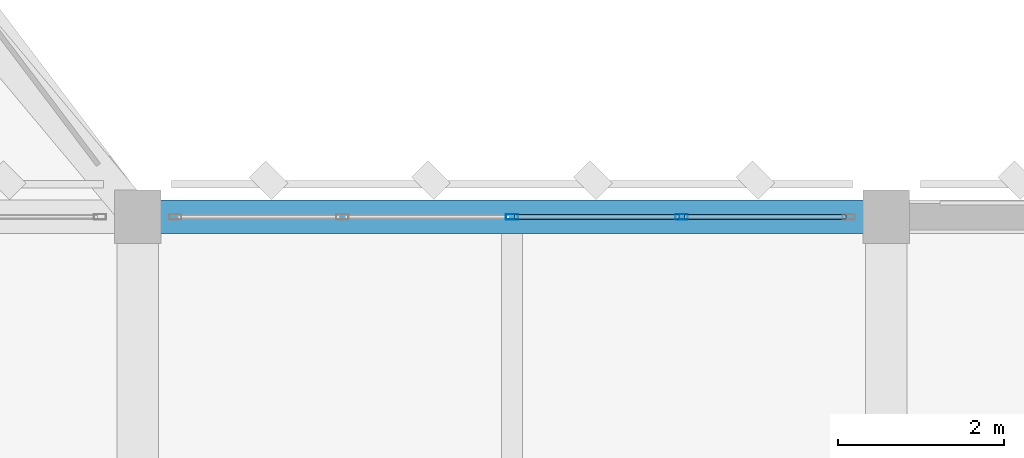
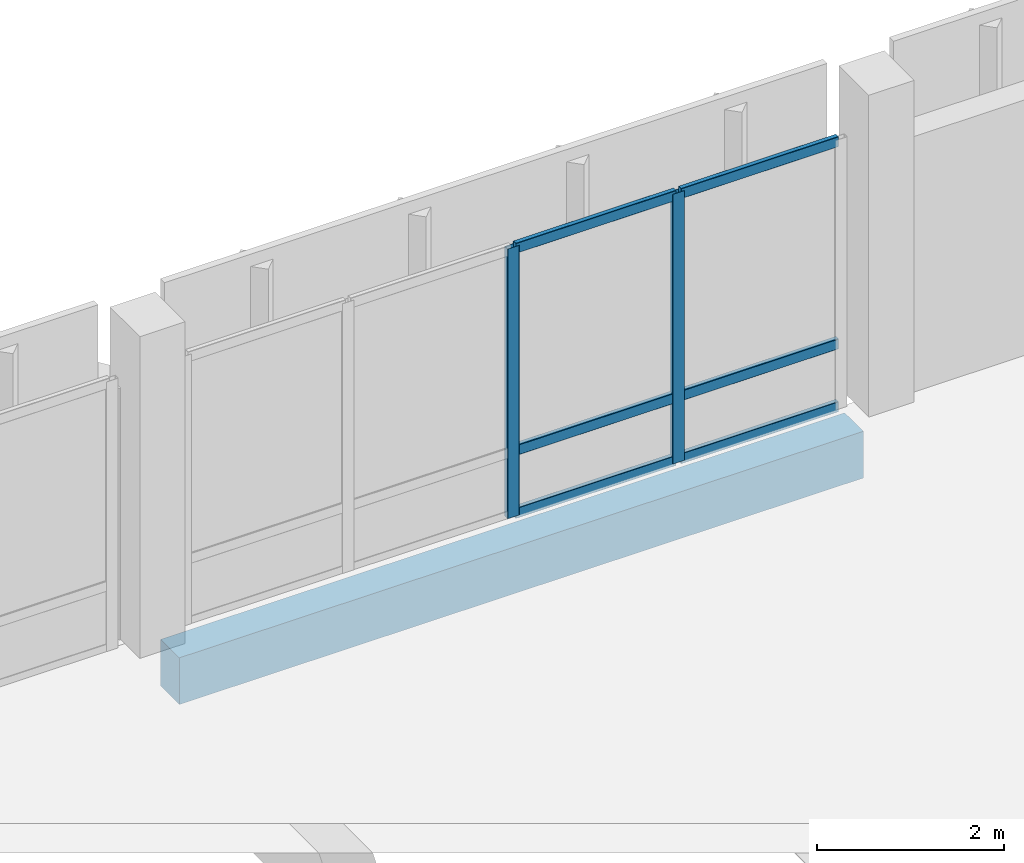
# One storey, part 63 of 158: 8 members, 1 beam, 1 element without a shape of its own.
"""IFC4 building model written with IfcOpenShell, lengths in metres."""

from ifc_helpers import new_model, si_unit, direction, frame, origin, origin_2d, place, context, subcontext, project, spatial, rectangle, hollow_rectangle, extrude, material, material_profile, profile_set, type_object, element, aggregate, save


model = new_model("IFC4")

# Units and contexts
model_context = context("Model", 3, precision=1e-05, world=origin(), true_north=direction((0.0, 1.0)))
body_context = subcontext(model_context, "Body", "Model", "MODEL_VIEW")
ifc_project = project(units=[si_unit("LENGTHUNIT", "METRE"), si_unit("AREAUNIT", "SQUARE_METRE"), si_unit("VOLUMEUNIT", "CUBIC_METRE"), si_unit("PLANEANGLEUNIT", "RADIAN"), si_unit("MASSUNIT", "GRAM", prefix="KILO")], contexts=[model_context])

# Site, building, storey
site_placement = place(None, origin())
site = spatial("IfcSite", under=ifc_project, at=site_placement, CompositionType="ELEMENT")
building_placement = place(site_placement, origin())
building = spatial("IfcBuilding", under=site, at=building_placement, Name="Lusvemor Sports Hall", CompositionType="ELEMENT")
storey_placement = place(building_placement, frame((0.0, 0.0, 10.800048828125)))
storey = spatial("IfcBuildingStorey", under=building, at=storey_placement, Name="L02", CompositionType="ELEMENT", Elevation=10.800048828125)

# Curtain wall, members
ifc_material_1 = material(Name="Thermally broken bronze-anodized aluminium", Category="aluminium")
curtain_wall_type = type_object("IfcCurtainWallType", Name="CW_WING_B", PredefinedType="NOTDEFINED", material=ifc_material_1)
curtain_wall_placement = place(storey_placement, origin())
curtain_wall = element("IfcCurtainWall", 1, at=curtain_wall_placement, inside=storey, type_object=curtain_wall_type, Name="Curtain Wall CW-L02-N-1-8", PredefinedType="NOTDEFINED")
ifc_material_2 = material(Name="Thermally broken bronze-anodized aluminium", Category="aluminium")
ifc_material_profile_1 = material_profile(ifc_material_2, hollow_rectangle(XDim=0.06494140625, YDim=0.14990234375, WallThickness=0.00390625, InnerFilletRadius=0.00390625, OuterFilletRadius=0.008056640625, at=origin_2d()), Name="CWMUL150x65x4")
ifc_profile_set_1 = profile_set([ifc_material_profile_1], Name="Thermally broken bronze-anodized aluminium")
member_type_1 = type_object("IfcMemberType", Name="CW_MUL_B", PredefinedType="MULLION", material=ifc_profile_set_1)
member_1_placement = place(storey_placement, frame((89.10009765625, 115.199951171875, 0.0), z_axis=(0.0, 0.0, 1.0), x_axis=(0.0, 1.0, 0.0)))
member_1 = element("IfcMember", 2, at=member_1_placement, type_object=member_type_1, Name="CW02 mullion 3", PredefinedType="MULLION", context=body_context, shape_type="SweptSolid", body=[
    extrude(hollow_rectangle(XDim=0.06494140625, YDim=0.14990234375, WallThickness=0.00390625, InnerFilletRadius=0.00390625, OuterFilletRadius=0.008056640625, at=origin_2d()), origin(), (0.0, 0.0, 1.0), 3.52001953125),
])
member_2_placement = place(storey_placement, frame((91.139892578125, 115.199951171875, 0.0), z_axis=(0.0, 0.0, 1.0), x_axis=(0.0, 1.0, 0.0)))
member_2 = element("IfcMember", 3, at=member_2_placement, type_object=member_type_1, Name="CW02 mullion 4", PredefinedType="MULLION", context=body_context, shape_type="SweptSolid", body=[
    extrude(hollow_rectangle(XDim=0.06494140625, YDim=0.14990234375, WallThickness=0.00390625, InnerFilletRadius=0.00390625, OuterFilletRadius=0.008056640625, at=origin_2d()), origin(), (0.0, 0.0, 1.0), 3.52001953125),
])
ifc_material_3 = material(Name="Thermally broken bronze-anodized aluminium", Category="aluminium")
ifc_material_profile_2 = material_profile(ifc_material_3, hollow_rectangle(XDim=0.06005859375, YDim=0.135009765625, WallThickness=0.00390625, InnerFilletRadius=0.00390625, OuterFilletRadius=0.008056640625, at=origin_2d()), Name="CWTRN135x60x4")
ifc_profile_set_2 = profile_set([ifc_material_profile_2], Name="Thermally broken bronze-anodized aluminium")
member_type_2 = type_object("IfcMemberType", Name="CW_TRN_B", PredefinedType="USERDEFINED", material=ifc_profile_set_2)
member_3_placement = place(storey_placement, frame((89.132568359375, 115.199951171875, 0.030029296875), z_axis=(1.0, 0.0, 0.0), x_axis=(0.0, 1.0, 0.0)))
member_3 = element("IfcMember", 4, at=member_3_placement, type_object=member_type_2, Name="CW02 transom 3.1", ObjectType="TRANSOM", PredefinedType="USERDEFINED", context=body_context, shape_type="SweptSolid", body=[
    extrude(hollow_rectangle(XDim=0.06005859375, YDim=0.135009765625, WallThickness=0.00390625, InnerFilletRadius=0.00390625, OuterFilletRadius=0.008056640625, at=origin_2d()), origin(), (0.0, 0.0, 1.0), 1.974853515625),
])
member_4_placement = place(storey_placement, frame((89.132568359375, 115.199951171875, 0.849853515625), z_axis=(1.0, 0.0, 0.0), x_axis=(0.0, 1.0, 0.0)))
member_4 = element("IfcMember", 5, at=member_4_placement, type_object=member_type_2, Name="CW02 transom 3.2", ObjectType="TRANSOM", PredefinedType="USERDEFINED", context=body_context, shape_type="SweptSolid", body=[
    extrude(hollow_rectangle(XDim=0.06005859375, YDim=0.135009765625, WallThickness=0.00390625, InnerFilletRadius=0.00390625, OuterFilletRadius=0.008056640625, at=origin_2d()), origin(), (0.0, 0.0, 1.0), 1.974853515625),
])
member_5_placement = place(storey_placement, frame((89.132568359375, 115.199951171875, 3.489990234375), z_axis=(1.0, 0.0, 0.0), x_axis=(0.0, 1.0, 0.0)))
member_5 = element("IfcMember", 6, at=member_5_placement, type_object=member_type_2, Name="CW02 transom 3.3", ObjectType="TRANSOM", PredefinedType="USERDEFINED", context=body_context, shape_type="SweptSolid", body=[
    extrude(hollow_rectangle(XDim=0.06005859375, YDim=0.135009765625, WallThickness=0.00390625, InnerFilletRadius=0.00390625, OuterFilletRadius=0.008056640625, at=origin_2d()), origin(), (0.0, 0.0, 1.0), 1.974853515625),
])
member_6_placement = place(storey_placement, frame((91.172607421875, 115.199951171875, 0.030029296875), z_axis=(1.0, 0.0, 0.0), x_axis=(0.0, 1.0, 0.0)))
member_6 = element("IfcMember", 7, at=member_6_placement, type_object=member_type_2, Name="CW02 transom 4.1", ObjectType="TRANSOM", PredefinedType="USERDEFINED", context=body_context, shape_type="SweptSolid", body=[
    extrude(hollow_rectangle(XDim=0.06005859375, YDim=0.135009765625, WallThickness=0.00390625, InnerFilletRadius=0.00390625, OuterFilletRadius=0.008056640625, at=origin_2d()), origin(), (0.0, 0.0, 1.0), 1.9423828125),
])
member_7_placement = place(storey_placement, frame((91.172607421875, 115.199951171875, 0.849853515625), z_axis=(1.0, 0.0, 0.0), x_axis=(0.0, 1.0, 0.0)))
member_7 = element("IfcMember", 8, at=member_7_placement, type_object=member_type_2, Name="CW02 transom 4.2", ObjectType="TRANSOM", PredefinedType="USERDEFINED", context=body_context, shape_type="SweptSolid", body=[
    extrude(hollow_rectangle(XDim=0.06005859375, YDim=0.135009765625, WallThickness=0.00390625, InnerFilletRadius=0.00390625, OuterFilletRadius=0.008056640625, at=origin_2d()), origin(), (0.0, 0.0, 1.0), 1.9423828125),
])
member_8_placement = place(storey_placement, frame((91.172607421875, 115.199951171875, 3.489990234375), z_axis=(1.0, 0.0, 0.0), x_axis=(0.0, 1.0, 0.0)))
member_8 = element("IfcMember", 9, at=member_8_placement, type_object=member_type_2, Name="CW02 transom 4.3", ObjectType="TRANSOM", PredefinedType="USERDEFINED", context=body_context, shape_type="SweptSolid", body=[
    extrude(hollow_rectangle(XDim=0.06005859375, YDim=0.135009765625, WallThickness=0.00390625, InnerFilletRadius=0.00390625, OuterFilletRadius=0.008056640625, at=origin_2d()), origin(), (0.0, 0.0, 1.0), 1.9423828125),
])
aggregate(curtain_wall, [member_1, member_2, member_3, member_4, member_5, member_6, member_7, member_8])

# Beam
ifc_material_4 = material(Name="Concrete C40/50", Category="concrete")
ifc_material_profile_3 = material_profile(ifc_material_4, rectangle(XDim=0.39990234375, YDim=0.610107421875, at=origin_2d()), Name="RC400x610")
ifc_profile_set_3 = profile_set([ifc_material_profile_3], Name="Concrete C40/50")
beam_type = type_object("IfcBeamType", Name="SPAND_EXT_650", PredefinedType="SPANDREL", material=ifc_profile_set_3)
beam_placement = place(storey_placement, frame((84.8759765625, 115.199951171875, -0.56494140625), z_axis=(1.0, 0.0, 0.0), x_axis=(0.0, 1.0, 0.0)))
element("IfcBeam", 10, at=beam_placement, inside=storey, type_object=beam_type, Name="Beam L02 Q:9-10", PredefinedType="SPANDREL", context=body_context, shape_type="SweptSolid", body=[
    extrude(rectangle(XDim=0.39990234375, YDim=0.610107421875, at=origin_2d()), origin(), (0.0, 0.0, 1.0), 8.447998046875),
])

save(model, "model.ifc")
